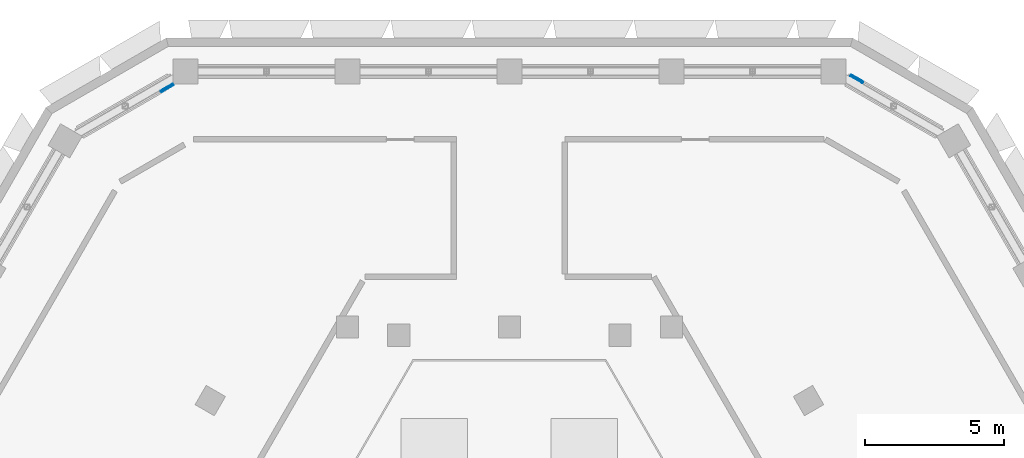
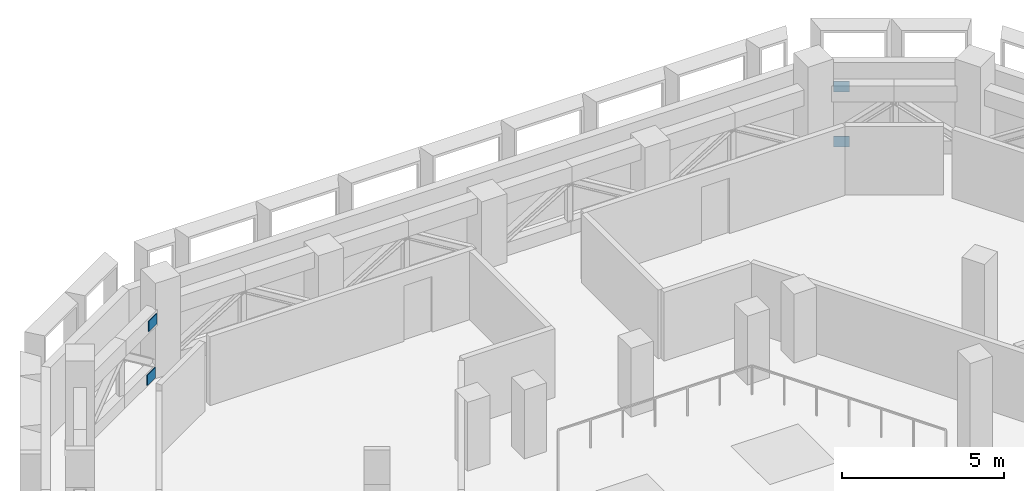
# One storey, part 15 of 22: 4 discrete accessories.
"""IFC4 building model written with IfcOpenShell, lengths in metres."""

from ifc_helpers import new_model, si_unit, direction, frame, origin, origin_2d, place, context, subcontext, project, spatial, rectangle, extrude, material, type_object, element, save


model = new_model("IFC4")

# Units and contexts
model_context = context("Model", 3, precision=1e-05, world=origin(), true_north=direction((0.0, 1.0)))
body_context = subcontext(model_context, "Body", "Model", "MODEL_VIEW")
ifc_project = project(units=[si_unit("LENGTHUNIT", "METRE"), si_unit("AREAUNIT", "SQUARE_METRE"), si_unit("VOLUMEUNIT", "CUBIC_METRE"), si_unit("PLANEANGLEUNIT", "RADIAN"), si_unit("MASSUNIT", "GRAM", prefix="KILO")], contexts=[model_context])

# Site, building, storey
site_placement = place(None, origin())
site = spatial("IfcSite", under=ifc_project, at=site_placement, CompositionType="ELEMENT")
building_placement = place(site_placement, origin())
building = spatial("IfcBuilding", under=site, at=building_placement, Name="Beryl Residences", CompositionType="ELEMENT")
storey_placement = place(building_placement, frame((0.0, 0.0, 153.60009765625)))
storey = spatial("IfcBuildingStorey", under=building, at=storey_placement, Name="L47", CompositionType="ELEMENT", Elevation=153.60009765625)

# Discrete accessories
ifc_material = material(Name="Steel S355", Category="steel")
discrete_accessory_type = type_object("IfcDiscreteAccessoryType", Name="GP1 chord end gusset plate 500 x 400 x 25 mm", PredefinedType="BRACKET", material=ifc_material)
for number, where, z_axis, x_axis, name in (
    (1, (-12.30908203125, 23.781005859375, 2.099853515625), (0.0, 0.0, 1.0), (-0.866069033718, -0.499924423123, 0.0), "GP1 gusset plate L47 Ta N-4"),
    (2, (-12.333984375, 23.824951171875, 0.050048828125), (0.0, 0.0, 1.0), (-0.866069033718, -0.499924423123, 0.0), "GP1 gusset plate L47 Ba N-4"),
    (3, (12.52099609375, 24.14892578125, 2.099853515625), (0.0, 0.0, 1.0), (0.866069033718, -0.499924423123, 0.0), "GP1 gusset plate L47 Tb NE-4"),
    (4, (12.49609375, 24.10595703125, 0.050048828125), (0.0, 0.0, 1.0), (0.866069033718, -0.499924423123, 0.0), "GP1 gusset plate L47 Bb NE-4"),
):
    element("IfcDiscreteAccessory", number, at=place(storey_placement, frame(where, z_axis=z_axis, x_axis=x_axis)), inside=storey, type_object=discrete_accessory_type, Name=name, PredefinedType="BRACKET", context=body_context, shape_type="SweptSolid", body=[
        extrude(rectangle(XDim=0.5, YDim=0.02490234375, at=origin_2d()), origin(), (0.0, 0.0, 1.0), 0.39990234375),
    ])

save(model, "model.ifc")
